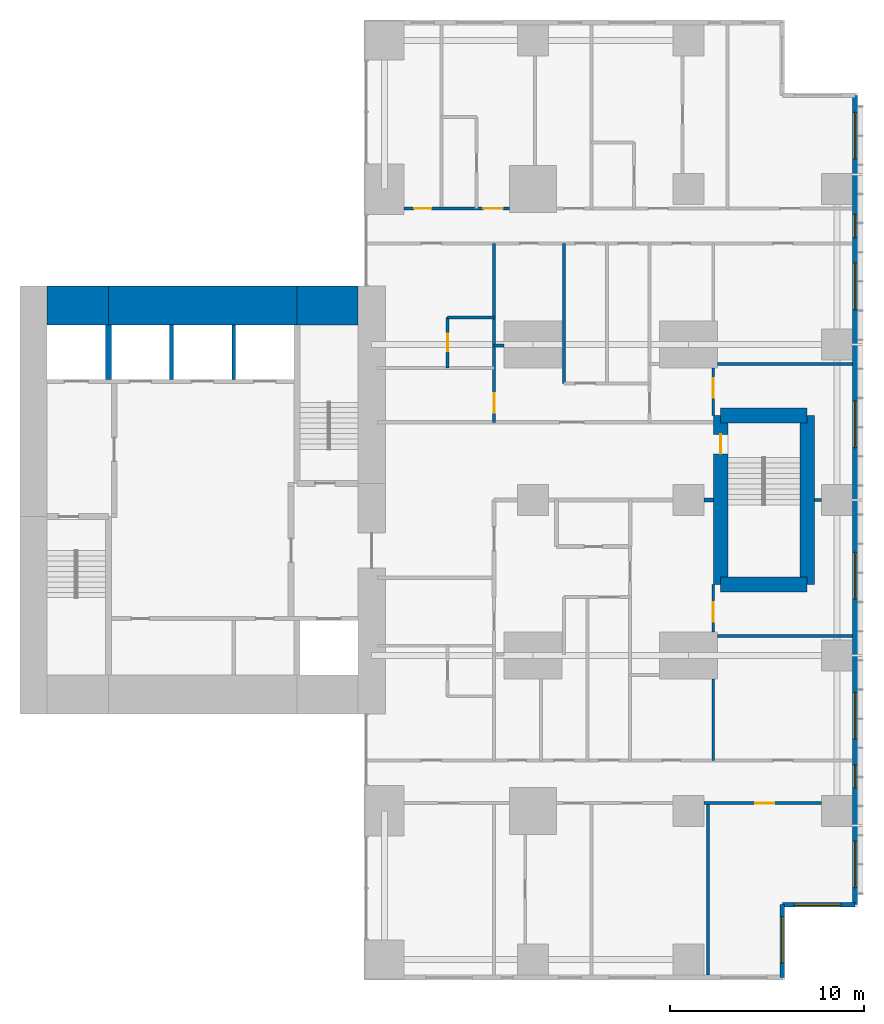
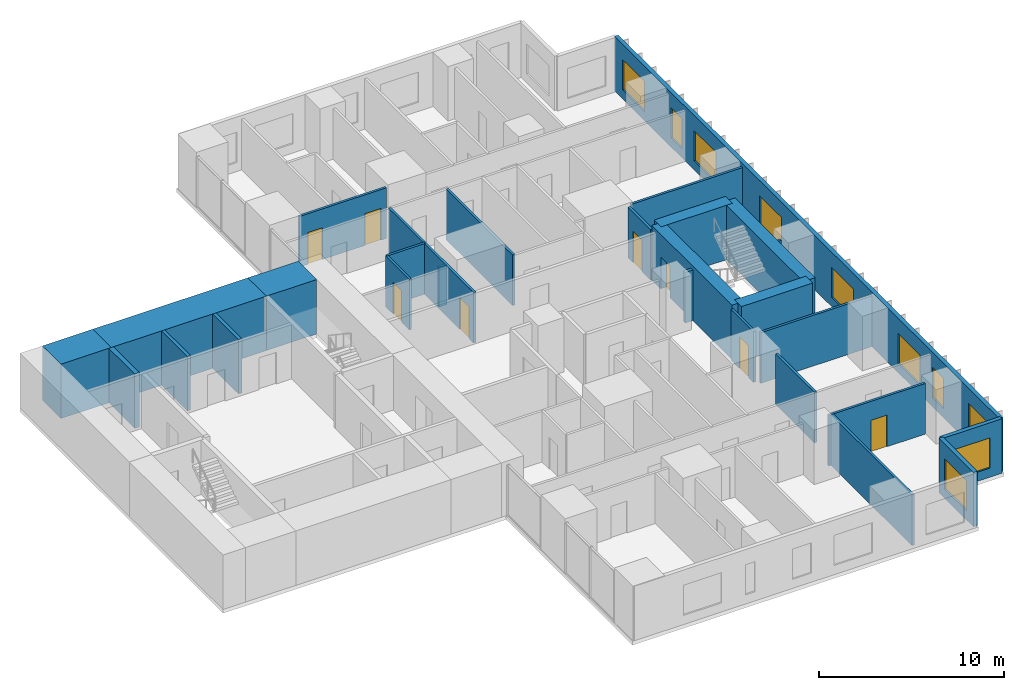
# One storey, part 9 of 12: 28 walls, 10 windows, 8 doors, 18 openings.
"""IFC4 building model written with IfcOpenShell, lengths in metres."""

from ifc_helpers import new_model, si_unit, direction, frame, frame_2d, origin, place, context, subcontext, project, spatial, rectangle, extrude, material, layer, layer_set, type_object, element, fill, save


model = new_model("IFC4")

# Units and contexts
model_context = context("Model", 3, precision=1e-05, world=origin(), true_north=direction((0.0, 1.0)))
body_context = subcontext(model_context, "Body", "Model", "MODEL_VIEW")
ifc_project = project(units=[si_unit("LENGTHUNIT", "METRE"), si_unit("AREAUNIT", "SQUARE_METRE"), si_unit("VOLUMEUNIT", "CUBIC_METRE"), si_unit("PLANEANGLEUNIT", "RADIAN"), si_unit("MASSUNIT", "GRAM", prefix="KILO")], contexts=[model_context])

# Site, building, storey
site_placement = place(None, origin())
site = spatial("IfcSite", under=ifc_project, at=site_placement, CompositionType="ELEMENT")
building_placement = place(site_placement, origin())
building = spatial("IfcBuilding", under=site, at=building_placement, Name="Cleftline Residences", CompositionType="ELEMENT")
storey_placement = place(building_placement, frame((0.0, 0.0, 248.39990234375)))
storey = spatial("IfcBuildingStorey", under=building, at=storey_placement, Name="L65", CompositionType="ELEMENT", Elevation=248.39990234375)

# Walls
ifc_material_1 = material(Name="Concrete B70", Category="concrete")
ifc_layer_1 = layer(ifc_material_1, 2.0)
ifc_layer_set_1 = layer_set([ifc_layer_1], Name="CORE WALL 2000")
wall_type_1 = type_object("IfcWallType", Name="CORE WALL 2000", PredefinedType="SHEAR", material=ifc_layer_set_1)
wall_1_placement = place(storey_placement, frame((25.0, 34.0, 0.0), z_axis=(0.0, 0.0, 1.0), x_axis=(1.0, 0.0, 0.0)))
element("IfcWall", 1, at=wall_1_placement, inside=storey, type_object=wall_type_1, Name="Core wall N1", PredefinedType="SHEAR", context=body_context, shape_type="SweptSolid", body=[
    extrude(rectangle(XDim=3.14990234375, YDim=2.0, at=frame_2d((1.574951171875, 0.0))), origin(), (0.0, 0.0, 1.0), 3.60009765625),
])
wall_2_placement = place(storey_placement, frame((28.14990234375, 34.0, 0.0), z_axis=(0.0, 0.0, 1.0), x_axis=(1.0, 0.0, 0.0)))
element("IfcWall", 2, at=wall_2_placement, inside=storey, type_object=wall_type_1, Name="Core wall N2", PredefinedType="SHEAR", context=body_context, shape_type="SweptSolid", body=[
    extrude(rectangle(XDim=9.7001953125, YDim=2.0, at=frame_2d((4.85009765625, 0.0))), origin(), (0.0, 0.0, 1.0), 3.60009765625),
])
wall_3_placement = place(storey_placement, frame((37.85009765625, 34.0, 0.0), z_axis=(0.0, 0.0, 1.0), x_axis=(1.0, 0.0, 0.0)))
element("IfcWall", 3, at=wall_3_placement, inside=storey, type_object=wall_type_1, Name="Core wall N3", PredefinedType="SHEAR", context=body_context, shape_type="SweptSolid", body=[
    extrude(rectangle(XDim=3.14990234375, YDim=2.0, at=frame_2d((1.574951171875, 0.0))), origin(), (0.0, 0.0, 1.0), 3.60009765625),
])
ifc_material_2 = material(Name="Concrete B70", Category="concrete")
ifc_layer_2 = layer(ifc_material_2, 0.300048828125)
ifc_layer_set_2 = layer_set([ifc_layer_2], Name="CORE WALL 300")
wall_type_2 = type_object("IfcWallType", Name="CORE WALL 300", PredefinedType="SHEAR", material=ifc_layer_set_2)
wall_4_placement = place(storey_placement, frame((28.14990234375, 30.199951171875, 0.0), z_axis=(0.0, 0.0, 1.0), x_axis=(0.0, 1.0, 0.0)))
element("IfcWall", 4, at=wall_4_placement, inside=storey, type_object=wall_type_2, Name="Lift shaft wall", PredefinedType="SHEAR", context=body_context, shape_type="SweptSolid", body=[
    extrude(rectangle(XDim=2.800048828125, YDim=0.300048828125, at=frame_2d((1.39990234375, 0.0))), origin(), (0.0, 0.0, 1.0), 3.60009765625),
])

# Wall, opening, window
ifc_material_3 = material(Name="Rendered reinforced concrete blockwork", Category="masonry")
ifc_layer_3 = layer(ifc_material_3, 0.25)
ifc_layer_set_3 = layer_set([ifc_layer_3], Name="EXTERNAL WALL 250")
wall_type_3 = type_object("IfcWallType", Name="EXTERNAL WALL 250", PredefinedType="SOLIDWALL", material=ifc_layer_set_3)
wall_5_placement = place(storey_placement, frame((62.824951171875, -0.574951171875, 0.0), z_axis=(0.0, 0.0, 1.0), x_axis=(0.0, 1.0, 0.0)))
wall_5 = element("IfcWall", 5, at=wall_5_placement, inside=storey, type_object=wall_type_3, Name="External wall", PredefinedType="SOLIDWALL", context=body_context, shape_type="SweptSolid", body=[
    extrude(rectangle(XDim=3.75, YDim=0.25, at=frame_2d((1.875, 0.0))), origin(), (0.0, 0.0, 1.0), 3.60009765625),
])
opening_1_placement = place(wall_5_placement, frame((0.737548828125, 0.0, 0.60009765625)))
opening_1 = element("IfcOpeningElement", 6, at=opening_1_placement, cuts=wall_5, Name="Opening W6", PredefinedType="OPENING", context=body_context, shape_type="SweptSolid", body=[
    extrude(rectangle(XDim=2.39990234375, YDim=2.0, at=frame_2d((1.199951171875, 1.0))), frame((0.0, 0.135009765625, 0.0), z_axis=(0.0, -1.0, 0.0), x_axis=(1.0, 0.0, 0.0)), (0.0, 0.0, 1.0), 0.27001953125),
])
ifc_material_4 = material(Name="Aluminium frame, clear double glazing", Category="aluminium")
window_type_1 = type_object("IfcWindowType", Name="WINDOW 2400X2000", PartitioningType="DOUBLE_PANEL_VERTICAL", PredefinedType="WINDOW", material=ifc_material_4)
window_1_placement = place(opening_1_placement, origin())
window_1 = element("IfcWindow", 7, at=window_1_placement, inside=storey, type_object=window_type_1, Name="Window", OverallHeight=2.0, OverallWidth=2.39990234375, PartitioningType="SINGLE_PANEL", PredefinedType="WINDOW", context=body_context, shape_type="SweptSolid", body=[
    extrude(rectangle(XDim=2.39990234375, YDim=2.0, at=frame_2d((1.199951171875, 1.0))), frame((0.0, 0.030029296875, 0.0), z_axis=(0.0, -1.0, 0.0), x_axis=(1.0, 0.0, 0.0)), (0.0, 0.0, 1.0), 0.06005859375),
])
fill(opening_1, window_1)

wall_6_placement = place(storey_placement, frame((62.824951171875, 3.175048828125, 0.0), z_axis=(0.0, 0.0, 1.0), x_axis=(1.0, 0.0, 0.0)))
wall_6 = element("IfcWall", 8, at=wall_6_placement, inside=storey, type_object=wall_type_3, Name="External wall", PredefinedType="SOLIDWALL", context=body_context, shape_type="SweptSolid", body=[
    extrude(rectangle(XDim=3.75, YDim=0.25, at=frame_2d((1.875, 0.0))), origin(), (0.0, 0.0, 1.0), 3.60009765625),
])
opening_2_placement = place(wall_6_placement, frame((0.612548828125, 0.0, 0.60009765625)))
opening_2 = element("IfcOpeningElement", 9, at=opening_2_placement, cuts=wall_6, Name="Opening W6", PredefinedType="OPENING", context=body_context, shape_type="SweptSolid", body=[
    extrude(rectangle(XDim=2.39990234375, YDim=2.0, at=frame_2d((1.199951171875, 1.0))), frame((0.0, 0.135009765625, 0.0), z_axis=(0.0, -1.0, 0.0), x_axis=(1.0, 0.0, 0.0)), (0.0, 0.0, 1.0), 0.27001953125),
])
window_2_placement = place(opening_2_placement, origin())
window_2 = element("IfcWindow", 10, at=window_2_placement, inside=storey, type_object=window_type_1, Name="Window", OverallHeight=2.0, OverallWidth=2.39990234375, PartitioningType="SINGLE_PANEL", PredefinedType="WINDOW", context=body_context, shape_type="SweptSolid", body=[
    extrude(rectangle(XDim=2.39990234375, YDim=2.0, at=frame_2d((1.199951171875, 1.0))), frame((0.0, 0.030029296875, 0.0), z_axis=(0.0, -1.0, 0.0), x_axis=(1.0, 0.0, 0.0)), (0.0, 0.0, 1.0), 0.06005859375),
])
fill(opening_2, window_2)

# Wall, openings, windows
wall_7_placement = place(storey_placement, frame((66.574951171875, 3.175048828125, 0.0), z_axis=(0.0, 0.0, 1.0), x_axis=(0.0, 1.0, 0.0)))
wall_7 = element("IfcWall", 11, at=wall_7_placement, inside=storey, type_object=wall_type_3, Name="External wall", PredefinedType="SOLIDWALL", context=body_context, shape_type="SweptSolid", body=[
    extrude(rectangle(XDim=41.64990234375, YDim=0.25, at=frame_2d((20.824951171875, 0.0))), origin(), (0.0, 0.0, 1.0), 3.60009765625),
])
opening_3_placement = place(wall_7_placement, frame((0.875, 0.0, 0.60009765625)))
opening_3 = element("IfcOpeningElement", 12, at=opening_3_placement, cuts=wall_7, Name="Opening W6", PredefinedType="OPENING", context=body_context, shape_type="SweptSolid", body=[
    extrude(rectangle(XDim=2.39990234375, YDim=2.0, at=frame_2d((1.199951171875, 1.0))), frame((0.0, 0.135009765625, 0.0), z_axis=(0.0, -1.0, 0.0), x_axis=(1.0, 0.0, 0.0)), (0.0, 0.0, 1.0), 0.27001953125),
])
opening_4_placement = place(wall_7_placement, frame((6.0, 0.0, 0.60009765625)))
opening_4 = element("IfcOpeningElement", 13, at=opening_4_placement, cuts=wall_7, Name="Opening W8", PredefinedType="OPENING", context=body_context, shape_type="SweptSolid", body=[
    extrude(rectangle(XDim=1.199951171875, YDim=2.0, at=frame_2d((0.60009765625, 1.0))), frame((0.0, 0.135009765625, 0.0), z_axis=(0.0, -1.0, 0.0), x_axis=(1.0, 0.0, 0.0)), (0.0, 0.0, 1.0), 0.27001953125),
])
opening_5_placement = place(wall_7_placement, frame((8.52490234375, 0.0, 0.60009765625)))
opening_5 = element("IfcOpeningElement", 14, at=opening_5_placement, cuts=wall_7, Name="Opening W6", PredefinedType="OPENING", context=body_context, shape_type="SweptSolid", body=[
    extrude(rectangle(XDim=2.39990234375, YDim=2.0, at=frame_2d((1.199951171875, 1.0))), frame((0.0, 0.135009765625, 0.0), z_axis=(0.0, -1.0, 0.0), x_axis=(1.0, 0.0, 0.0)), (0.0, 0.0, 1.0), 0.27001953125),
])
opening_6_placement = place(wall_7_placement, frame((15.72509765625, 0.0, 0.60009765625)))
opening_6 = element("IfcOpeningElement", 15, at=opening_6_placement, cuts=wall_7, Name="Opening W6", PredefinedType="OPENING", context=body_context, shape_type="SweptSolid", body=[
    extrude(rectangle(XDim=2.39990234375, YDim=2.0, at=frame_2d((1.199951171875, 1.0))), frame((0.0, 0.135009765625, 0.0), z_axis=(0.0, -1.0, 0.0), x_axis=(1.0, 0.0, 0.0)), (0.0, 0.0, 1.0), 0.27001953125),
])
opening_7_placement = place(wall_7_placement, frame((23.52490234375, 0.0, 0.60009765625)))
opening_7 = element("IfcOpeningElement", 16, at=opening_7_placement, cuts=wall_7, Name="Opening W6", PredefinedType="OPENING", context=body_context, shape_type="SweptSolid", body=[
    extrude(rectangle(XDim=2.39990234375, YDim=2.0, at=frame_2d((1.199951171875, 1.0))), frame((0.0, 0.135009765625, 0.0), z_axis=(0.0, -1.0, 0.0), x_axis=(1.0, 0.0, 0.0)), (0.0, 0.0, 1.0), 0.27001953125),
])
opening_8_placement = place(wall_7_placement, frame((30.625, 0.0, 0.60009765625)))
opening_8 = element("IfcOpeningElement", 17, at=opening_8_placement, cuts=wall_7, Name="Opening W6", PredefinedType="OPENING", context=body_context, shape_type="SweptSolid", body=[
    extrude(rectangle(XDim=2.39990234375, YDim=2.0, at=frame_2d((1.199951171875, 1.0))), frame((0.0, 0.135009765625, 0.0), z_axis=(0.0, -1.0, 0.0), x_axis=(1.0, 0.0, 0.0)), (0.0, 0.0, 1.0), 0.27001953125),
])
opening_9_placement = place(wall_7_placement, frame((34.324951171875, 0.0, 0.60009765625)))
opening_9 = element("IfcOpeningElement", 18, at=opening_9_placement, cuts=wall_7, Name="Opening W8", PredefinedType="OPENING", context=body_context, shape_type="SweptSolid", body=[
    extrude(rectangle(XDim=1.199951171875, YDim=2.0, at=frame_2d((0.60009765625, 1.0))), frame((0.0, 0.135009765625, 0.0), z_axis=(0.0, -1.0, 0.0), x_axis=(1.0, 0.0, 0.0)), (0.0, 0.0, 1.0), 0.27001953125),
])
opening_10_placement = place(wall_7_placement, frame((38.375, 0.0, 0.60009765625)))
opening_10 = element("IfcOpeningElement", 19, at=opening_10_placement, cuts=wall_7, Name="Opening W6", PredefinedType="OPENING", context=body_context, shape_type="SweptSolid", body=[
    extrude(rectangle(XDim=2.39990234375, YDim=2.0, at=frame_2d((1.199951171875, 1.0))), frame((0.0, 0.135009765625, 0.0), z_axis=(0.0, -1.0, 0.0), x_axis=(1.0, 0.0, 0.0)), (0.0, 0.0, 1.0), 0.27001953125),
])
ifc_material_5 = material(Name="Aluminium frame, clear double glazing", Category="aluminium")
window_type_2 = type_object("IfcWindowType", Name="WINDOW 1200X2000", PartitioningType="DOUBLE_PANEL_VERTICAL", PredefinedType="WINDOW", material=ifc_material_5)
window_3_placement = place(opening_4_placement, origin())
window_3 = element("IfcWindow", 20, at=window_3_placement, inside=storey, type_object=window_type_2, Name="Window", OverallHeight=2.0, OverallWidth=1.199951171875, PartitioningType="SINGLE_PANEL", PredefinedType="WINDOW", context=body_context, shape_type="SweptSolid", body=[
    extrude(rectangle(XDim=1.199951171875, YDim=2.0, at=frame_2d((0.60009765625, 1.0))), frame((0.0, 0.030029296875, 0.0), z_axis=(0.0, -1.0, 0.0), x_axis=(1.0, 0.0, 0.0)), (0.0, 0.0, 1.0), 0.06005859375),
])
fill(opening_4, window_3)
window_4_placement = place(opening_9_placement, origin())
window_4 = element("IfcWindow", 21, at=window_4_placement, inside=storey, type_object=window_type_2, Name="Window", OverallHeight=2.0, OverallWidth=1.199951171875, PartitioningType="SINGLE_PANEL", PredefinedType="WINDOW", context=body_context, shape_type="SweptSolid", body=[
    extrude(rectangle(XDim=1.199951171875, YDim=2.0, at=frame_2d((0.60009765625, 1.0))), frame((0.0, 0.030029296875, 0.0), z_axis=(0.0, -1.0, 0.0), x_axis=(1.0, 0.0, 0.0)), (0.0, 0.0, 1.0), 0.06005859375),
])
fill(opening_9, window_4)
window_5_placement = place(opening_3_placement, origin())
window_5 = element("IfcWindow", 22, at=window_5_placement, inside=storey, type_object=window_type_1, Name="Window", OverallHeight=2.0, OverallWidth=2.39990234375, PartitioningType="SINGLE_PANEL", PredefinedType="WINDOW", context=body_context, shape_type="SweptSolid", body=[
    extrude(rectangle(XDim=2.39990234375, YDim=2.0, at=frame_2d((1.199951171875, 1.0))), frame((0.0, 0.030029296875, 0.0), z_axis=(0.0, -1.0, 0.0), x_axis=(1.0, 0.0, 0.0)), (0.0, 0.0, 1.0), 0.06005859375),
])
fill(opening_3, window_5)
window_6_placement = place(opening_5_placement, origin())
window_6 = element("IfcWindow", 23, at=window_6_placement, inside=storey, type_object=window_type_1, Name="Window", OverallHeight=2.0, OverallWidth=2.39990234375, PartitioningType="SINGLE_PANEL", PredefinedType="WINDOW", context=body_context, shape_type="SweptSolid", body=[
    extrude(rectangle(XDim=2.39990234375, YDim=2.0, at=frame_2d((1.199951171875, 1.0))), frame((0.0, 0.030029296875, 0.0), z_axis=(0.0, -1.0, 0.0), x_axis=(1.0, 0.0, 0.0)), (0.0, 0.0, 1.0), 0.06005859375),
])
fill(opening_5, window_6)
window_7_placement = place(opening_6_placement, origin())
window_7 = element("IfcWindow", 24, at=window_7_placement, inside=storey, type_object=window_type_1, Name="Window", OverallHeight=2.0, OverallWidth=2.39990234375, PartitioningType="SINGLE_PANEL", PredefinedType="WINDOW", context=body_context, shape_type="SweptSolid", body=[
    extrude(rectangle(XDim=2.39990234375, YDim=2.0, at=frame_2d((1.199951171875, 1.0))), frame((0.0, 0.030029296875, 0.0), z_axis=(0.0, -1.0, 0.0), x_axis=(1.0, 0.0, 0.0)), (0.0, 0.0, 1.0), 0.06005859375),
])
fill(opening_6, window_7)
window_8_placement = place(opening_7_placement, origin())
window_8 = element("IfcWindow", 25, at=window_8_placement, inside=storey, type_object=window_type_1, Name="Window", OverallHeight=2.0, OverallWidth=2.39990234375, PartitioningType="SINGLE_PANEL", PredefinedType="WINDOW", context=body_context, shape_type="SweptSolid", body=[
    extrude(rectangle(XDim=2.39990234375, YDim=2.0, at=frame_2d((1.199951171875, 1.0))), frame((0.0, 0.030029296875, 0.0), z_axis=(0.0, -1.0, 0.0), x_axis=(1.0, 0.0, 0.0)), (0.0, 0.0, 1.0), 0.06005859375),
])
fill(opening_7, window_8)
window_9_placement = place(opening_8_placement, origin())
window_9 = element("IfcWindow", 26, at=window_9_placement, inside=storey, type_object=window_type_1, Name="Window", OverallHeight=2.0, OverallWidth=2.39990234375, PartitioningType="SINGLE_PANEL", PredefinedType="WINDOW", context=body_context, shape_type="SweptSolid", body=[
    extrude(rectangle(XDim=2.39990234375, YDim=2.0, at=frame_2d((1.199951171875, 1.0))), frame((0.0, 0.030029296875, 0.0), z_axis=(0.0, -1.0, 0.0), x_axis=(1.0, 0.0, 0.0)), (0.0, 0.0, 1.0), 0.06005859375),
])
fill(opening_8, window_9)
window_10_placement = place(opening_10_placement, origin())
window_10 = element("IfcWindow", 27, at=window_10_placement, inside=storey, type_object=window_type_1, Name="Window", OverallHeight=2.0, OverallWidth=2.39990234375, PartitioningType="SINGLE_PANEL", PredefinedType="WINDOW", context=body_context, shape_type="SweptSolid", body=[
    extrude(rectangle(XDim=2.39990234375, YDim=2.0, at=frame_2d((1.199951171875, 1.0))), frame((0.0, 0.030029296875, 0.0), z_axis=(0.0, -1.0, 0.0), x_axis=(1.0, 0.0, 0.0)), (0.0, 0.0, 1.0), 0.06005859375),
])
fill(opening_10, window_10)

# Wall
ifc_material_6 = material(Name="Concrete blockwork, fire rated", Category="masonry")
ifc_layer_4 = layer(ifc_material_6, 0.199951171875)
ifc_layer_set_4 = layer_set([ifc_layer_4], Name="FIRE WALL 200")
wall_type_4 = type_object("IfcWallType", Name="FIRE WALL 200", PredefinedType="PARTITIONING", material=ifc_layer_set_4)
wall_8_placement = place(storey_placement, frame((58.800048828125, 24.0, 0.0), z_axis=(0.0, 0.0, 1.0), x_axis=(1.0, 0.0, 0.0)))
element("IfcWall", 28, at=wall_8_placement, inside=storey, type_object=wall_type_4, Name="Fire separating wall", PredefinedType="PARTITIONING", context=body_context, shape_type="SweptSolid", body=[
    extrude(rectangle(XDim=0.474853515625, YDim=0.199951171875, at=frame_2d((0.2373046875, 0.0))), origin(), (0.0, 0.0, 1.0), 3.35009765625),
])

# Wall, opening, door
ifc_material_7 = material(Name="Gypsum board on steel studs", Category="steel")
ifc_layer_5 = layer(ifc_material_7, 0.14990234375)
ifc_layer_set_5 = layer_set([ifc_layer_5], Name="PARTITION 150")
wall_type_5 = type_object("IfcWallType", Name="PARTITION 150", PredefinedType="PARTITIONING", material=ifc_layer_set_5)
wall_9_placement = place(storey_placement, frame((58.800048828125, 8.39990234375, 0.0), z_axis=(0.0, 0.0, 1.0), x_axis=(1.0, 0.0, 0.0)))
wall_9 = element("IfcWall", 29, at=wall_9_placement, inside=storey, type_object=wall_type_5, Name="Partition", PredefinedType="PARTITIONING", context=body_context, shape_type="SweptSolid", body=[
    extrude(rectangle(XDim=6.050048828125, YDim=0.14990234375, at=frame_2d((3.02490234375, 0.0))), origin(), (0.0, 0.0, 1.0), 3.35009765625),
])
opening_11_placement = place(wall_9_placement, frame((2.625, 0.0, 0.0)))
opening_11 = element("IfcOpeningElement", 30, at=opening_11_placement, cuts=wall_9, Name="Opening D2", PredefinedType="OPENING", context=body_context, shape_type="SweptSolid", body=[
    extrude(rectangle(XDim=1.0, YDim=2.10009765625, at=frame_2d((0.5, 1.050048828125))), frame((0.0, 0.0849609375, 0.0), z_axis=(0.0, -1.0, 0.0), x_axis=(1.0, 0.0, 0.0)), (0.0, 0.0, 1.0), 0.169921875),
])
ifc_material_8 = material(Name="Timber veneer on solid core", Category="wood")
door_type_1 = type_object("IfcDoorType", Name="DOOR 1000X2100", OperationType="SINGLE_SWING_LEFT", PredefinedType="DOOR", material=ifc_material_8)
door_1_placement = place(opening_11_placement, origin())
door_1 = element("IfcDoor", 31, at=door_1_placement, inside=storey, type_object=door_type_1, Name="Door to music room", OperationType="SINGLE_SWING_LEFT", OverallHeight=2.10009765625, OverallWidth=1.0, PredefinedType="DOOR", context=body_context, shape_type="SweptSolid", body=[
    extrude(rectangle(XDim=1.0, YDim=2.10009765625, at=frame_2d((0.5, 1.050048828125))), frame((0.0, 0.02490234375, 0.0), z_axis=(0.0, -1.0, 0.0), x_axis=(1.0, 0.0, 0.0)), (0.0, 0.0, 1.0), 0.050048828125),
])
fill(opening_11, door_1)

# Walls
wall_10_placement = place(storey_placement, frame((59.5, 17.0, 0.0), z_axis=(0.0, 0.0, 1.0), x_axis=(1.0, 0.0, 0.0)))
element("IfcWall", 32, at=wall_10_placement, inside=storey, type_object=wall_type_5, Name="Partition", PredefinedType="PARTITIONING", context=body_context, shape_type="SweptSolid", body=[
    extrude(rectangle(XDim=6.949951171875, YDim=0.14990234375, at=frame_2d((3.47509765625, 0.0))), origin(), (0.0, 0.0, 1.0), 3.35009765625),
])
wall_11_placement = place(storey_placement, frame((64.47509765625, 24.0, 0.0), z_axis=(0.0, 0.0, 1.0), x_axis=(1.0, 0.0, 0.0)))
element("IfcWall", 33, at=wall_11_placement, inside=storey, type_object=wall_type_5, Name="Partition", PredefinedType="PARTITIONING", context=body_context, shape_type="SweptSolid", body=[
    extrude(rectangle(XDim=0.375, YDim=0.14990234375, at=frame_2d((0.1875, 0.0))), origin(), (0.0, 0.0, 1.0), 3.35009765625),
])
wall_12_placement = place(storey_placement, frame((59.5, 31.0, 0.0), z_axis=(0.0, 0.0, 1.0), x_axis=(1.0, 0.0, 0.0)))
element("IfcWall", 34, at=wall_12_placement, inside=storey, type_object=wall_type_5, Name="Partition", PredefinedType="PARTITIONING", context=body_context, shape_type="SweptSolid", body=[
    extrude(rectangle(XDim=6.949951171875, YDim=0.14990234375, at=frame_2d((3.47509765625, 0.0))), origin(), (0.0, 0.0, 1.0), 3.35009765625),
])
wall_13_placement = place(storey_placement, frame((48.0, 31.949951171875, 0.0), z_axis=(0.0, 0.0, 1.0), x_axis=(1.0, 0.0, 0.0)))
element("IfcWall", 35, at=wall_13_placement, inside=storey, type_object=wall_type_5, Name="Partition", PredefinedType="PARTITIONING", context=body_context, shape_type="SweptSolid", body=[
    extrude(rectangle(XDim=0.5, YDim=0.14990234375, at=frame_2d((0.25, 0.0))), origin(), (0.0, 0.0, 1.0), 2.634033203125),
])
wall_14_placement = place(storey_placement, frame((45.60009765625, 33.39990234375, 0.0), z_axis=(0.0, 0.0, 1.0), x_axis=(1.0, 0.0, 0.0)))
element("IfcWall", 36, at=wall_14_placement, inside=storey, type_object=wall_type_5, Name="Partition", PredefinedType="PARTITIONING", context=body_context, shape_type="SweptSolid", body=[
    extrude(rectangle(XDim=2.39990234375, YDim=0.14990234375, at=frame_2d((1.199951171875, 0.0))), origin(), (0.0, 0.0, 1.0), 3.35009765625),
])

# Wall, openings, doors
wall_15_placement = place(storey_placement, frame((43.35009765625, 39.0, 0.0), z_axis=(0.0, 0.0, 1.0), x_axis=(1.0, 0.0, 0.0)))
wall_15 = element("IfcWall", 37, at=wall_15_placement, inside=storey, type_object=wall_type_5, Name="Partition", PredefinedType="PARTITIONING", context=body_context, shape_type="SweptSolid", body=[
    extrude(rectangle(XDim=5.449951171875, YDim=0.14990234375, at=frame_2d((2.72509765625, 0.0))), origin(), (0.0, 0.0, 1.0), 3.35009765625),
])
opening_12_placement = place(wall_15_placement, frame((4.10009765625, 0.0, 0.0)))
opening_12 = element("IfcOpeningElement", 38, at=opening_12_placement, cuts=wall_15, Name="Opening D2", PredefinedType="OPENING", context=body_context, shape_type="SweptSolid", body=[
    extrude(rectangle(XDim=1.0, YDim=2.10009765625, at=frame_2d((0.5, 1.050048828125))), frame((0.0, 0.0849609375, 0.0), z_axis=(0.0, -1.0, 0.0), x_axis=(1.0, 0.0, 0.0)), (0.0, 0.0, 1.0), 0.169921875),
])
opening_13_placement = place(wall_15_placement, frame((0.52490234375, 0.0, 0.0)))
opening_13 = element("IfcOpeningElement", 39, at=opening_13_placement, cuts=wall_15, Name="Opening D1", PredefinedType="OPENING", context=body_context, shape_type="SweptSolid", body=[
    extrude(rectangle(XDim=0.89990234375, YDim=2.10009765625, at=frame_2d((0.449951171875, 1.050048828125))), frame((0.0, 0.0849609375, 0.0), z_axis=(0.0, -1.0, 0.0), x_axis=(1.0, 0.0, 0.0)), (0.0, 0.0, 1.0), 0.169921875),
])
door_2_placement = place(opening_12_placement, origin())
door_2 = element("IfcDoor", 40, at=door_2_placement, inside=storey, type_object=door_type_1, Name="Door to bedroom 3", OperationType="SINGLE_SWING_LEFT", OverallHeight=2.10009765625, OverallWidth=1.0, PredefinedType="DOOR", context=body_context, shape_type="SweptSolid", body=[
    extrude(rectangle(XDim=1.0, YDim=2.10009765625, at=frame_2d((0.5, 1.050048828125))), frame((0.0, 0.02490234375, 0.0), z_axis=(0.0, -1.0, 0.0), x_axis=(1.0, 0.0, 0.0)), (0.0, 0.0, 1.0), 0.050048828125),
])
fill(opening_12, door_2)
ifc_material_9 = material(Name="Timber veneer on solid core", Category="wood")
door_type_2 = type_object("IfcDoorType", Name="DOOR 900X2100", OperationType="SINGLE_SWING_LEFT", PredefinedType="DOOR", material=ifc_material_9)
door_3_placement = place(opening_13_placement, origin())
door_3 = element("IfcDoor", 41, at=door_3_placement, inside=storey, type_object=door_type_2, Name="Door to dressing room", OperationType="SINGLE_SWING_RIGHT", OverallHeight=2.10009765625, OverallWidth=0.89990234375, PredefinedType="DOOR", context=body_context, shape_type="SweptSolid", body=[
    extrude(rectangle(XDim=0.89990234375, YDim=2.10009765625, at=frame_2d((0.449951171875, 1.050048828125))), frame((0.0, 0.02490234375, 0.0), z_axis=(0.0, -1.0, 0.0), x_axis=(1.0, 0.0, 0.0)), (0.0, 0.0, 1.0), 0.050048828125),
])
fill(opening_13, door_3)

# Wall, opening, door
wall_16_placement = place(storey_placement, frame((45.60009765625, 30.800048828125, 0.0), z_axis=(0.0, 0.0, 1.0), x_axis=(0.0, 1.0, 0.0)))
wall_16 = element("IfcWall", 42, at=wall_16_placement, inside=storey, type_object=wall_type_5, Name="Partition", PredefinedType="PARTITIONING", context=body_context, shape_type="SweptSolid", body=[
    extrude(rectangle(XDim=2.599853515625, YDim=0.14990234375, at=frame_2d((1.2998046875, 0.0))), origin(), (0.0, 0.0, 1.0), 3.35009765625),
])
opening_14_placement = place(wall_16_placement, frame((0.85009765625, 0.0, 0.0)))
opening_14 = element("IfcOpeningElement", 43, at=opening_14_placement, cuts=wall_16, Name="Opening D1", PredefinedType="OPENING", context=body_context, shape_type="SweptSolid", body=[
    extrude(rectangle(XDim=0.89990234375, YDim=2.10009765625, at=frame_2d((0.449951171875, 1.050048828125))), frame((0.0, 0.0849609375, 0.0), z_axis=(0.0, -1.0, 0.0), x_axis=(1.0, 0.0, 0.0)), (0.0, 0.0, 1.0), 0.169921875),
])
door_4_placement = place(opening_14_placement, origin())
door_4 = element("IfcDoor", 44, at=door_4_placement, inside=storey, type_object=door_type_2, Name="Door to en-suite bathroom 4", OperationType="SINGLE_SWING_LEFT", OverallHeight=2.10009765625, OverallWidth=0.89990234375, PredefinedType="DOOR", context=body_context, shape_type="SweptSolid", body=[
    extrude(rectangle(XDim=0.89990234375, YDim=2.10009765625, at=frame_2d((0.449951171875, 1.050048828125))), frame((0.0, 0.02490234375, 0.0), z_axis=(0.0, -1.0, 0.0), x_axis=(1.0, 0.0, 0.0)), (0.0, 0.0, 1.0), 0.050048828125),
])
fill(opening_14, door_4)

wall_17_placement = place(storey_placement, frame((48.0, 28.0, 0.0), z_axis=(0.0, 0.0, 1.0), x_axis=(0.0, 1.0, 0.0)))
wall_17 = element("IfcWall", 45, at=wall_17_placement, inside=storey, type_object=wall_type_5, Name="Partition", PredefinedType="PARTITIONING", context=body_context, shape_type="SweptSolid", body=[
    extrude(rectangle(XDim=9.199951171875, YDim=0.14990234375, at=frame_2d((4.60009765625, 0.0))), origin(), (0.0, 0.0, 1.0), 3.35009765625),
])
opening_15_placement = place(wall_17_placement, frame((0.5, 0.0, 0.0)))
opening_15 = element("IfcOpeningElement", 46, at=opening_15_placement, cuts=wall_17, Name="Opening D2", PredefinedType="OPENING", context=body_context, shape_type="SweptSolid", body=[
    extrude(rectangle(XDim=1.0, YDim=2.10009765625, at=frame_2d((0.5, 1.050048828125))), frame((0.0, 0.0849609375, 0.0), z_axis=(0.0, -1.0, 0.0), x_axis=(1.0, 0.0, 0.0)), (0.0, 0.0, 1.0), 0.169921875),
])
door_5_placement = place(opening_15_placement, origin())
door_5 = element("IfcDoor", 47, at=door_5_placement, inside=storey, type_object=door_type_1, Name="Door to morning kitchen", OperationType="SINGLE_SWING_RIGHT", OverallHeight=2.10009765625, OverallWidth=1.0, PredefinedType="DOOR", context=body_context, shape_type="SweptSolid", body=[
    extrude(rectangle(XDim=1.0, YDim=2.10009765625, at=frame_2d((0.5, 1.050048828125))), frame((0.0, 0.02490234375, 0.0), z_axis=(0.0, -1.0, 0.0), x_axis=(1.0, 0.0, 0.0)), (0.0, 0.0, 1.0), 0.050048828125),
])
fill(opening_15, door_5)

# Walls
wall_18_placement = place(storey_placement, frame((51.60009765625, 30.0, 0.0), z_axis=(0.0, 0.0, 1.0), x_axis=(0.0, 1.0, 0.0)))
element("IfcWall", 48, at=wall_18_placement, inside=storey, type_object=wall_type_5, Name="Partition", PredefinedType="PARTITIONING", context=body_context, shape_type="SweptSolid", body=[
    extrude(rectangle(XDim=7.199951171875, YDim=0.14990234375, at=frame_2d((3.60009765625, 0.0))), origin(), (0.0, 0.0, 1.0), 3.35009765625),
])
wall_19_placement = place(storey_placement, frame((59.0, -0.449951171875, 0.0), z_axis=(0.0, 0.0, 1.0), x_axis=(0.0, 1.0, 0.0)))
element("IfcWall", 49, at=wall_19_placement, inside=storey, type_object=wall_type_5, Name="Partition", PredefinedType="PARTITIONING", context=body_context, shape_type="SweptSolid", body=[
    extrude(rectangle(XDim=8.849853515625, YDim=0.14990234375, at=frame_2d((4.4248046875, 0.0))), origin(), (0.0, 0.0, 1.0), 3.35009765625),
])
wall_20_placement = place(storey_placement, frame((59.27490234375, 10.60009765625, 0.0), z_axis=(0.0, 0.0, 1.0), x_axis=(0.0, 1.0, 0.0)))
element("IfcWall", 50, at=wall_20_placement, inside=storey, type_object=wall_type_5, Name="Partition", PredefinedType="PARTITIONING", context=body_context, shape_type="SweptSolid", body=[
    extrude(rectangle(XDim=4.199951171875, YDim=0.14990234375, at=frame_2d((2.10009765625, 0.0))), origin(), (0.0, 0.0, 1.0), 3.35009765625),
])

# Wall, opening, door
wall_21_placement = place(storey_placement, frame((59.27490234375, 17.199951171875, 0.0), z_axis=(0.0, 0.0, 1.0), x_axis=(0.0, 1.0, 0.0)))
wall_21 = element("IfcWall", 51, at=wall_21_placement, inside=storey, type_object=wall_type_5, Name="Partition", PredefinedType="PARTITIONING", context=body_context, shape_type="SweptSolid", body=[
    extrude(rectangle(XDim=2.449951171875, YDim=0.14990234375, at=frame_2d((1.22509765625, 0.0))), origin(), (0.0, 0.0, 1.0), 3.35009765625),
])
opening_16_placement = place(wall_21_placement, frame((0.53759765625, 0.0, 0.0)))
opening_16 = element("IfcOpeningElement", 52, at=opening_16_placement, cuts=wall_21, Name="Opening D2", PredefinedType="OPENING", context=body_context, shape_type="SweptSolid", body=[
    extrude(rectangle(XDim=1.0, YDim=2.10009765625, at=frame_2d((0.5, 1.050048828125))), frame((0.0, 0.0849609375, 0.0), z_axis=(0.0, -1.0, 0.0), x_axis=(1.0, 0.0, 0.0)), (0.0, 0.0, 1.0), 0.169921875),
])
door_6_placement = place(opening_16_placement, origin())
door_6 = element("IfcDoor", 53, at=door_6_placement, inside=storey, type_object=door_type_1, Name="Door to altar room", OperationType="SINGLE_SWING_RIGHT", OverallHeight=2.10009765625, OverallWidth=1.0, PredefinedType="DOOR", context=body_context, shape_type="SweptSolid", body=[
    extrude(rectangle(XDim=1.0, YDim=2.10009765625, at=frame_2d((0.5, 1.050048828125))), frame((0.0, 0.02490234375, 0.0), z_axis=(0.0, -1.0, 0.0), x_axis=(1.0, 0.0, 0.0)), (0.0, 0.0, 1.0), 0.050048828125),
])
fill(opening_16, door_6)

wall_22_placement = place(storey_placement, frame((59.27490234375, 28.35009765625, 0.0), z_axis=(0.0, 0.0, 1.0), x_axis=(0.0, 1.0, 0.0)))
wall_22 = element("IfcWall", 54, at=wall_22_placement, inside=storey, type_object=wall_type_5, Name="Partition", PredefinedType="PARTITIONING", context=body_context, shape_type="SweptSolid", body=[
    extrude(rectangle(XDim=2.449951171875, YDim=0.14990234375, at=frame_2d((1.22509765625, 0.0))), origin(), (0.0, 0.0, 1.0), 3.35009765625),
])
opening_17_placement = place(wall_22_placement, frame((0.91259765625, 0.0, 0.0)))
opening_17 = element("IfcOpeningElement", 55, at=opening_17_placement, cuts=wall_22, Name="Opening D2", PredefinedType="OPENING", context=body_context, shape_type="SweptSolid", body=[
    extrude(rectangle(XDim=1.0, YDim=2.10009765625, at=frame_2d((0.5, 1.050048828125))), frame((0.0, 0.0849609375, 0.0), z_axis=(0.0, -1.0, 0.0), x_axis=(1.0, 0.0, 0.0)), (0.0, 0.0, 1.0), 0.169921875),
])
door_7_placement = place(opening_17_placement, origin())
door_7 = element("IfcDoor", 56, at=door_7_placement, inside=storey, type_object=door_type_1, Name="Door to altar room", OperationType="SINGLE_SWING_LEFT", OverallHeight=2.10009765625, OverallWidth=1.0, PredefinedType="DOOR", context=body_context, shape_type="SweptSolid", body=[
    extrude(rectangle(XDim=1.0, YDim=2.10009765625, at=frame_2d((0.5, 1.050048828125))), frame((0.0, 0.02490234375, 0.0), z_axis=(0.0, -1.0, 0.0), x_axis=(1.0, 0.0, 0.0)), (0.0, 0.0, 1.0), 0.050048828125),
])
fill(opening_17, door_7)

# Walls
ifc_material_10 = material(Name="Concrete blockwork, fire rated", Category="masonry")
ifc_layer_6 = layer(ifc_material_10, 0.199951171875)
ifc_layer_set_6 = layer_set([ifc_layer_6], Name="SHAFT WALL 200")
wall_type_6 = type_object("IfcWallType", Name="SHAFT WALL 200", PredefinedType="PARTITIONING", material=ifc_layer_set_6)
for number, where, z_axis, x_axis, name in (
    (57, (31.39990234375, 30.199951171875, 0.0), (0.0, 0.0, 1.0), (0.0, 1.0, 0.0), "Lift shaft wall"),
    (58, (34.60009765625, 30.199951171875, 0.0), (0.0, 0.0, 1.0), (0.0, 1.0, 0.0), "Lift shaft wall"),
):
    element("IfcWall", number, at=place(storey_placement, frame(where, z_axis=z_axis, x_axis=x_axis)), inside=storey, type_object=wall_type_6, Name=name, PredefinedType="PARTITIONING", context=body_context, shape_type="SweptSolid", body=[
        extrude(rectangle(XDim=2.800048828125, YDim=0.199951171875, at=frame_2d((1.39990234375, 0.0))), origin(), (0.0, 0.0, 1.0), 3.60009765625),
    ])
ifc_material_11 = material(Name="Concrete B70", Category="concrete")
ifc_layer_7 = layer(ifc_material_11, 0.75)
ifc_layer_set_7 = layer_set([ifc_layer_7], Name="SHEAR WALL 750")
wall_type_7 = type_object("IfcWallType", Name="SHEAR WALL 750", PredefinedType="SHEAR", material=ifc_layer_set_7)
wall_23_placement = place(storey_placement, frame((59.64990234375, 19.64990234375, 0.0), z_axis=(0.0, 0.0, 1.0), x_axis=(1.0, 0.0, 0.0)))
element("IfcWall", 59, at=wall_23_placement, inside=storey, type_object=wall_type_7, Name="Wing shear wall", PredefinedType="SHEAR", context=body_context, shape_type="SweptSolid", body=[
    extrude(rectangle(XDim=4.4501953125, YDim=0.75, at=frame_2d((2.22509765625, 0.0))), origin(), (0.0, 0.0, 1.0), 3.60009765625),
])
wall_24_placement = place(storey_placement, frame((64.10009765625, 19.64990234375, 0.0), z_axis=(0.0, 0.0, 1.0), x_axis=(0.0, 1.0, 0.0)))
element("IfcWall", 60, at=wall_24_placement, inside=storey, type_object=wall_type_7, Name="Wing shear wall", PredefinedType="SHEAR", context=body_context, shape_type="SweptSolid", body=[
    extrude(rectangle(XDim=8.7001953125, YDim=0.75, at=frame_2d((4.35009765625, 0.0))), origin(), (0.0, 0.0, 1.0), 3.60009765625),
])
wall_25_placement = place(storey_placement, frame((64.10009765625, 28.35009765625, 0.0), z_axis=(0.0, 0.0, 1.0), x_axis=(-1.0, 0.0, 0.0)))
element("IfcWall", 61, at=wall_25_placement, inside=storey, type_object=wall_type_7, Name="Wing shear wall", PredefinedType="SHEAR", context=body_context, shape_type="SweptSolid", body=[
    extrude(rectangle(XDim=4.4501953125, YDim=0.75, at=frame_2d((2.22509765625, 0.0))), origin(), (0.0, 0.0, 1.0), 3.60009765625),
])

# Wall, opening, door
wall_26_placement = place(storey_placement, frame((59.64990234375, 28.35009765625, 0.0), z_axis=(0.0, 0.0, 1.0), x_axis=(0.0, -1.0, 0.0)))
wall_26 = element("IfcWall", 62, at=wall_26_placement, inside=storey, type_object=wall_type_7, Name="Wing shear wall", PredefinedType="SHEAR", context=body_context, shape_type="SweptSolid", body=[
    extrude(rectangle(XDim=8.7001953125, YDim=0.75, at=frame_2d((4.35009765625, 0.0))), origin(), (0.0, 0.0, 1.0), 3.60009765625),
])
opening_18_placement = place(wall_26_placement, frame((0.97509765625, 0.0, 0.0)))
opening_18 = element("IfcOpeningElement", 63, at=opening_18_placement, cuts=wall_26, Name="Opening D5", PredefinedType="OPENING", context=body_context, shape_type="SweptSolid", body=[
    extrude(rectangle(XDim=1.0, YDim=2.10009765625, at=frame_2d((0.5, 1.050048828125))), frame((0.0, 0.385009765625, 0.0), z_axis=(0.0, -1.0, 0.0), x_axis=(1.0, 0.0, 0.0)), (0.0, 0.0, 1.0), 0.77001953125),
])
ifc_material_12 = material(Name="Steel", Category="steel")
door_type_3 = type_object("IfcDoorType", Name="STAIR DOOR 1000X2100", OperationType="SINGLE_SWING_LEFT", PredefinedType="DOOR", material=ifc_material_12)
door_8_placement = place(opening_18_placement, origin())
door_8 = element("IfcDoor", 64, at=door_8_placement, inside=storey, type_object=door_type_3, Name="Stair E door", OperationType="SINGLE_SWING_RIGHT", OverallHeight=2.10009765625, OverallWidth=1.0, PredefinedType="DOOR", context=body_context, shape_type="SweptSolid", body=[
    extrude(rectangle(XDim=1.0, YDim=2.10009765625, at=frame_2d((0.5, 1.050048828125))), frame((0.0, 0.02490234375, 0.0), z_axis=(0.0, -1.0, 0.0), x_axis=(1.0, 0.0, 0.0)), (0.0, 0.0, 1.0), 0.050048828125),
])
fill(opening_18, door_8)

save(model, "model.ifc")
